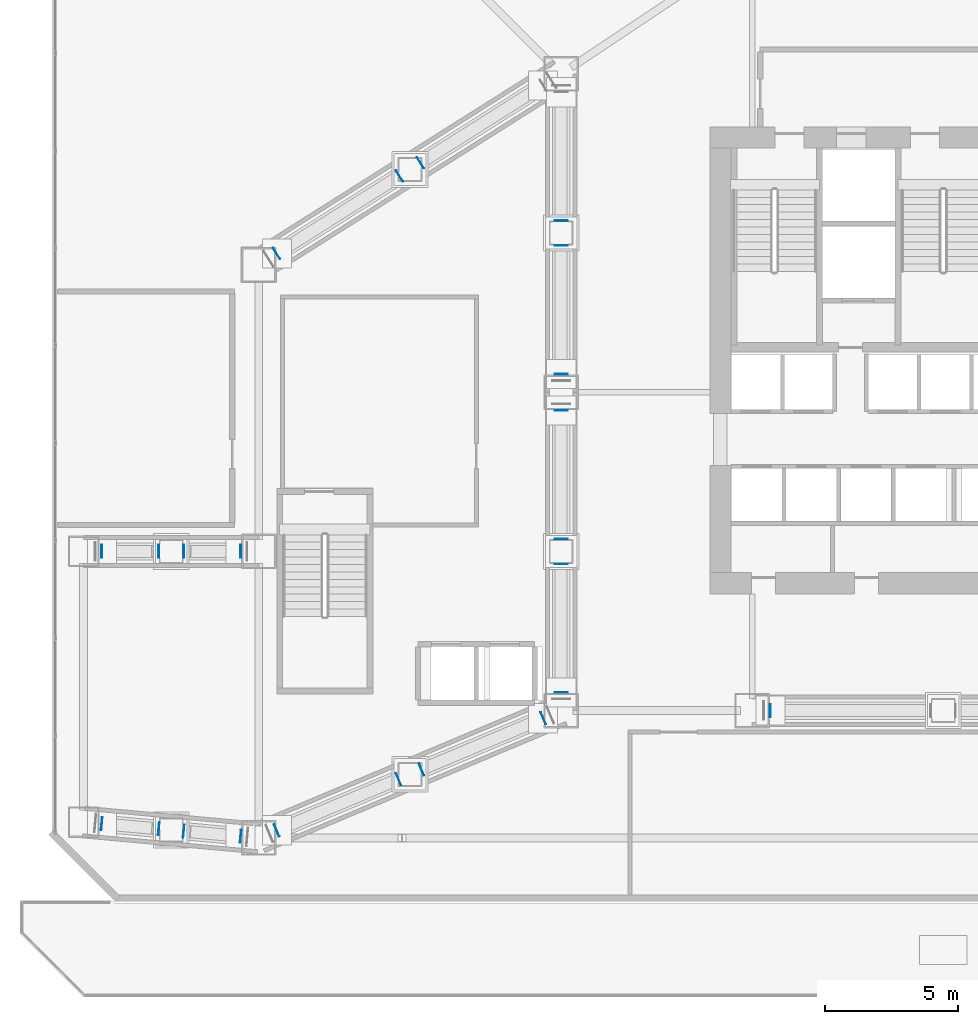
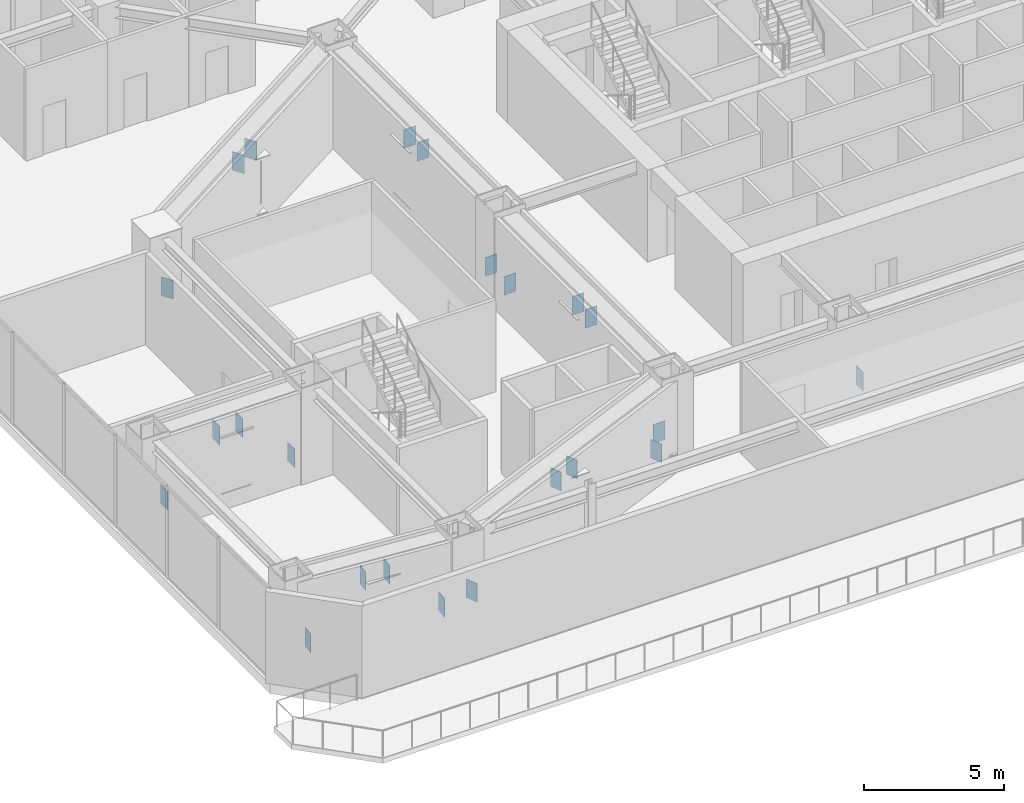
# One storey, part 27 of 39: 23 plates.
"""IFC4 building model written with IfcOpenShell, lengths in metres."""

from ifc_helpers import new_model, si_unit, direction, frame, origin, origin_2d, place, context, subcontext, project, spatial, rectangle, extrude, material, layer, layer_set, type_object, element, save


model = new_model("IFC4")

# Units and contexts
model_context = context("Model", 3, precision=1e-05, world=origin(), true_north=direction((0.0, 1.0)))
body_context = subcontext(model_context, "Body", "Model", "MODEL_VIEW")
ifc_project = project(units=[si_unit("LENGTHUNIT", "METRE"), si_unit("AREAUNIT", "SQUARE_METRE"), si_unit("VOLUMEUNIT", "CUBIC_METRE"), si_unit("PLANEANGLEUNIT", "RADIAN"), si_unit("MASSUNIT", "GRAM", prefix="KILO")], contexts=[model_context])

# Site, building, storey
site_placement = place(None, origin())
site = spatial("IfcSite", under=ifc_project, at=site_placement, CompositionType="ELEMENT")
building_placement = place(site_placement, origin())
building = spatial("IfcBuilding", under=site, at=building_placement, Name="Haolan Belvedere Tower", CompositionType="ELEMENT")
storey_placement = place(building_placement, frame((0.0, 0.0, 19.800048828125)))
storey = spatial("IfcBuildingStorey", under=building, at=storey_placement, Name="L04", CompositionType="ELEMENT", Elevation=19.800048828125)

# Plates
ifc_material = material(Name="Steel Q355B", Category="steel")
ifc_layer = layer(ifc_material, 0.02490234375, Name="Steel Q355B")
ifc_layer_set = layer_set([ifc_layer], Name="Steel Q355B")
plate_type = type_object("IfcPlateType", Name="PL-CAP-25", PredefinedType="SHEET", material=ifc_layer_set)
for number, where, z_axis, x_axis, name in (
    (1, (24.0, 22.278564453125, 0.530029296875), (0.0, 0.0, 1.0), (1.0, 0.0, 0.0), "Hollow steel end-cap plate TT-T3-W1-DG1-CAP0"),
    (2, (24.0, 27.131591796875, 2.599853515625), (0.0, 0.0, 1.0), (-1.0, 0.0, 0.0), "Hollow steel end-cap plate TT-T3-W1-DG1-CAP1"),
    (3, (24.0, 32.92138671875, 0.530029296875), (0.0, 0.0, 1.0), (-1.0, 0.0, 0.0), "Hollow steel end-cap plate TT-T3-W1-DG2-CAP0"),
    (4, (24.0, 28.068603515625, 2.599853515625), (0.0, 0.0, 1.0), (1.0, 0.0, 0.0), "Hollow steel end-cap plate TT-T3-W1-DG2-CAP1"),
    (5, (24.0, 34.278564453125, 0.530029296875), (0.0, 0.0, 1.0), (1.0, 0.0, 0.0), "Hollow steel end-cap plate TT-T3-W2-DG1-CAP0"),
    (6, (24.0, 39.131591796875, 2.599853515625), (0.0, 0.0, 1.0), (-1.0, 0.0, 0.0), "Hollow steel end-cap plate TT-T3-W2-DG1-CAP1"),
    (7, (24.0, 40.068603515625, 2.599853515625), (0.0, 0.0, 1.0), (1.0, 0.0, 0.0), "Hollow steel end-cap plate TT-T3-W2-DG2-CAP1"),
    (8, (31.878173828125, 21.60009765625, 0.53076171875), (0.0, 0.0, 1.0), (0.0, -1.0, 0.0), "Hollow steel end-cap plate TT-T3-SM-DG1-CAP0"),
    (9, (13.2763671875, 17.084716796875, 0.530029296875), (0.0, 0.0, 1.0), (0.388062562797, -0.921633032912, 0.0), "Hollow steel end-cap plate TT-T2-S-DG1-CAP0"),
    (10, (17.8681640625, 19.01806640625, 2.599609375), (0.0, 0.0, 1.0), (-0.388062562797, 0.921633032912, 0.0), "Hollow steel end-cap plate TT-T2-S-DG1-CAP1"),
    (11, (23.32373046875, 21.315185546875, 0.530029296875), (0.0, 0.0, 1.0), (-0.388062562797, 0.921633032912, 0.0), "Hollow steel end-cap plate TT-T2-S-DG2-CAP0"),
    (12, (18.731689453125, 19.3818359375, 2.599609375), (0.0, 0.0, 1.0), (0.388062562797, -0.921633032912, 0.0), "Hollow steel end-cap plate TT-T2-S-DG2-CAP1"),
    (13, (13.27392578125, 38.82568359375, 0.530517578125), (0.0, 0.0, 1.0), (0.533983483484, -0.845494907948, 0.0), "Hollow steel end-cap plate TT-T2-N-DG1-CAP0"),
    (14, (17.904052734375, 41.75, 2.599365234375), (0.0, 0.0, 1.0), (-0.533983483484, 0.845494907948, 0.0), "Hollow steel end-cap plate TT-T2-N-DG1-CAP1"),
    (15, (18.69580078125, 42.25, 2.599365234375), (0.0, 0.0, 1.0), (0.533983483484, -0.845494907948, 0.0), "Hollow steel end-cap plate TT-T2-N-DG2-CAP1"),
    (16, (6.680908203125, 17.338134765625, 0.5263671875), (0.0, 0.0, 1.0), (-0.09051090929, -0.995895464042, 0.0), "Hollow steel end-cap plate TT-T1-S-DG1-CAP0"),
    (17, (8.8310546875, 17.142578125, 2.603515625), (0.0, 0.0, 1.0), (0.09051090929, 0.995895464042, 0.0), "Hollow steel end-cap plate TT-T1-S-DG1-CAP1"),
    (18, (11.919189453125, 16.86181640625, 0.5263671875), (0.0, 0.0, 1.0), (0.09051090929, 0.995895464042, 0.0), "Hollow steel end-cap plate TT-T1-S-DG2-CAP0"),
    (19, (9.76904296875, 17.057373046875, 2.603515625), (0.0, 0.0, 1.0), (-0.09051090929, -0.995895464042, 0.0), "Hollow steel end-cap plate TT-T1-S-DG2-CAP1"),
    (20, (6.680908203125, 27.60009765625, 0.526123046875), (0.0, 0.0, 1.0), (0.0, -1.0, 0.0), "Hollow steel end-cap plate TT-T1-N-DG1-CAP0"),
    (21, (8.8291015625, 27.60009765625, 2.603515625), (0.0, 0.0, 1.0), (0.0, 1.0, 0.0), "Hollow steel end-cap plate TT-T1-N-DG1-CAP1"),
    (22, (11.9189453125, 27.60009765625, 0.526123046875), (0.0, 0.0, 1.0), (0.0, 1.0, 0.0), "Hollow steel end-cap plate TT-T1-N-DG2-CAP0"),
    (23, (9.77099609375, 27.60009765625, 2.603515625), (0.0, 0.0, 1.0), (0.0, -1.0, 0.0), "Hollow steel end-cap plate TT-T1-N-DG2-CAP1"),
):
    element("IfcPlate", number, at=place(storey_placement, frame(where, z_axis=z_axis, x_axis=x_axis)), inside=storey, type_object=plate_type, Name=name, PredefinedType="SHEET", context=body_context, shape_type="SweptSolid", body=[
        extrude(rectangle(XDim=0.489990234375, YDim=0.02490234375, at=origin_2d()), origin(), (0.0, 0.0, 1.0), 0.81005859375),
    ])

save(model, "model.ifc")
